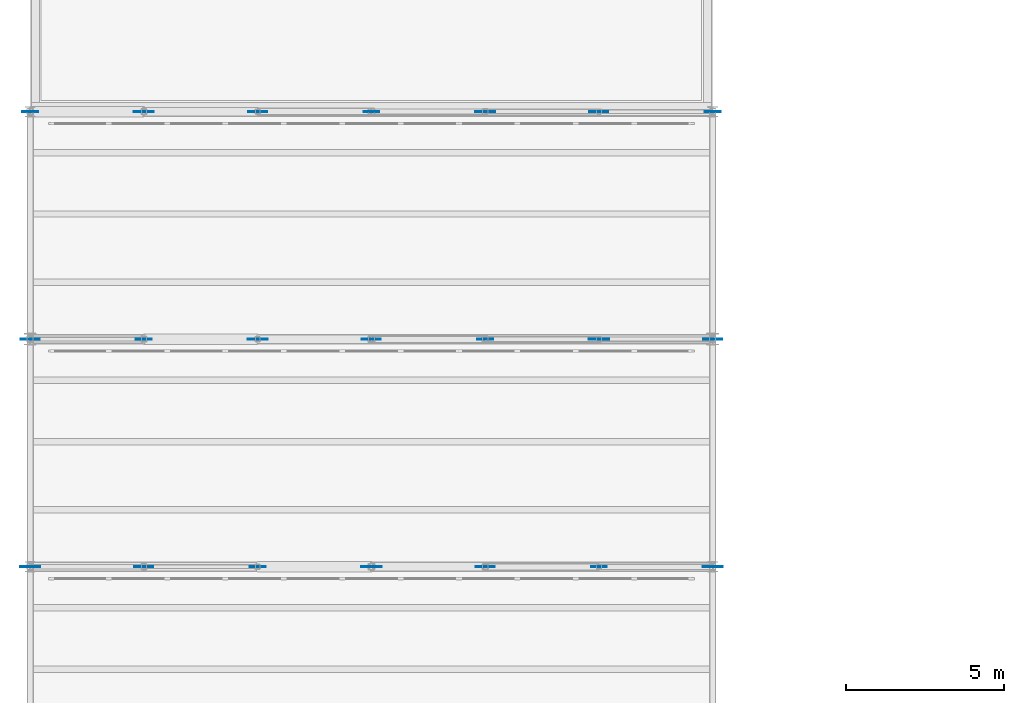
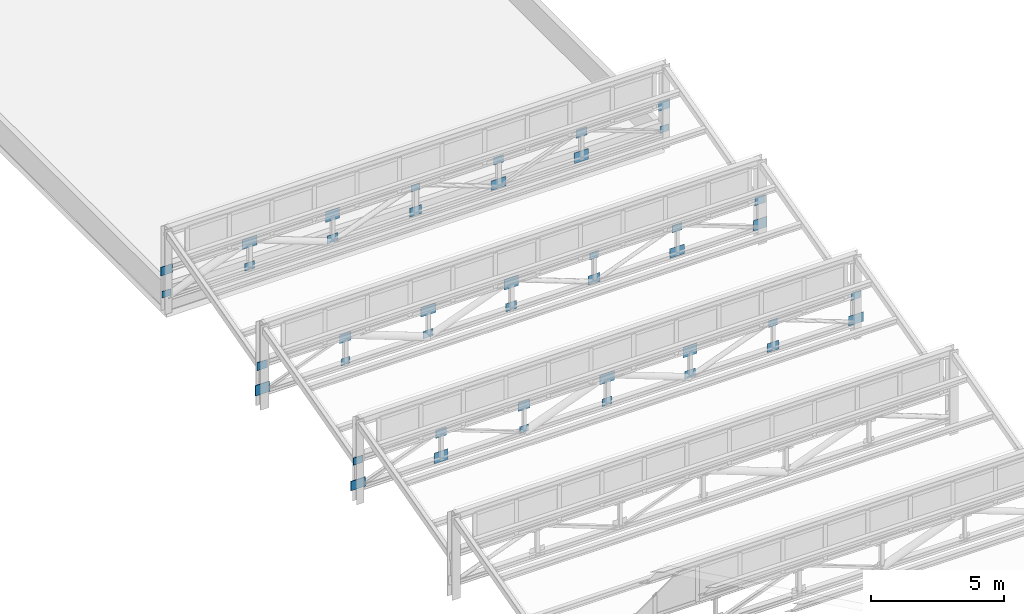
# One storey, part 44 of 55: 42 plates.
"""IFC4 building model written with IfcOpenShell, lengths in metres."""

from ifc_helpers import new_model, si_unit, direction, frame, origin, origin_2d, place, context, subcontext, project, spatial, rectangle, extrude, material, layer, layer_set, type_object, element, save


model = new_model("IFC4")

# Units and contexts
model_context = context("Model", 3, precision=1e-05, world=origin(), true_north=direction((0.0, 1.0)))
body_context = subcontext(model_context, "Body", "Model", "MODEL_VIEW")
ifc_project = project(units=[si_unit("LENGTHUNIT", "METRE"), si_unit("AREAUNIT", "SQUARE_METRE"), si_unit("VOLUMEUNIT", "CUBIC_METRE"), si_unit("PLANEANGLEUNIT", "RADIAN"), si_unit("MASSUNIT", "GRAM", prefix="KILO")], contexts=[model_context])

# Site, building, storey
site_placement = place(None, origin())
site = spatial("IfcSite", under=ifc_project, at=site_placement, CompositionType="ELEMENT")
building_placement = place(site_placement, origin())
building = spatial("IfcBuilding", under=site, at=building_placement, Name="Solenvale Faculty of Natural Sciences", CompositionType="ELEMENT")
storey_placement = place(building_placement, frame((0.0, 0.0, 22.5)))
storey = spatial("IfcBuildingStorey", under=building, at=storey_placement, Name="L05", CompositionType="ELEMENT", Elevation=22.5)

# Plates
ifc_material = material(Name="Steel S355", Category="steel")
ifc_layer_1 = layer(ifc_material, 0.01806640625)
ifc_layer_set_1 = layer_set([ifc_layer_1], Name="Steel S355")
plate_type_1 = type_object("IfcPlateType", Name="PLT-GUS-380x304x18", PredefinedType="SHEET", material=ifc_layer_set_1)
for number, where, z_axis, x_axis, name in (
    (1, (43.199951171875, 50.39990234375, 0.67822265625), (0.0, 0.0, 1.0), (1.0, 0.0, 0.0), "V3 Truss 5.1 Node Gusset NPB2"),
    (2, (54.0, 50.39990234375, 1.7578125), (0.0, 0.0, 1.0), (1.0, 0.0, 0.0), "V3 Truss 5.1 Node Gusset NPU5"),
    (3, (39.60009765625, 57.60009765625, 0.67822265625), (0.0, 0.0, 1.0), (1.0, 0.0, 0.0), "V3 Truss 6.1 Node Gusset NPB1"),
    (4, (50.39990234375, 57.60009765625, 1.7578125), (0.0, 0.0, 1.0), (1.0, 0.0, 0.0), "V3 Truss 6.1 Node Gusset NPU4"),
    (5, (36.0, 64.800048828125, 0.67822265625), (0.0, 0.0, 1.0), (1.0, 0.0, 0.0), "V3 Truss 7.1 Node Gusset NPB0"),
    (6, (46.800048828125, 64.800048828125, 1.7578125), (0.0, 0.0, 1.0), (1.0, 0.0, 0.0), "V3 Truss 7.1 Node Gusset NPU3"),
    (7, (57.60009765625, 64.800048828125, 0.67822265625), (0.0, 0.0, 1.0), (1.0, 0.0, 0.0), "V3 Truss 7.1 Node Gusset NPB6"),
):
    element("IfcPlate", number, at=place(storey_placement, frame(where, z_axis=z_axis, x_axis=x_axis)), inside=storey, type_object=plate_type_1, Name=name, PredefinedType="SHEET", context=body_context, shape_type="SweptSolid", body=[
        extrude(rectangle(XDim=0.3798828125, YDim=0.01806640625, at=origin_2d()), origin(), (0.0, 0.0, 1.0), 0.303955078125),
    ])
ifc_layer_2 = layer(ifc_material, 0.02001953125)
ifc_layer_set_2 = layer_set([ifc_layer_2], Name="Steel S355")
plate_type_2 = type_object("IfcPlateType", Name="PLT-GUS-420x336x20", PredefinedType="SHEET", material=ifc_layer_set_2)
for number, where, z_axis, x_axis, name in (
    (8, (36.0, 50.39990234375, 1.741943359375), (0.0, 0.0, 1.0), (1.0, 0.0, 0.0), "V3 Truss 5.1 Node Gusset NPU0"),
    (9, (46.800048828125, 50.39990234375, 0.662109375), (0.0, 0.0, 1.0), (1.0, 0.0, 0.0), "V3 Truss 5.1 Node Gusset NPB3"),
    (10, (57.60009765625, 50.39990234375, 1.741943359375), (0.0, 0.0, 1.0), (1.0, 0.0, 0.0), "V3 Truss 5.1 Node Gusset NPU6"),
    (11, (43.199951171875, 57.60009765625, 0.662109375), (0.0, 0.0, 1.0), (1.0, 0.0, 0.0), "V3 Truss 6.1 Node Gusset NPB2"),
    (12, (54.0, 57.60009765625, 1.741943359375), (0.0, 0.0, 1.0), (1.0, 0.0, 0.0), "V3 Truss 6.1 Node Gusset NPU5"),
    (13, (39.60009765625, 64.800048828125, 0.662109375), (0.0, 0.0, 1.0), (1.0, 0.0, 0.0), "V3 Truss 7.1 Node Gusset NPB1"),
    (14, (50.39990234375, 64.800048828125, 1.741943359375), (0.0, 0.0, 1.0), (1.0, 0.0, 0.0), "V3 Truss 7.1 Node Gusset NPU4"),
):
    element("IfcPlate", number, at=place(storey_placement, frame(where, z_axis=z_axis, x_axis=x_axis)), inside=storey, type_object=plate_type_2, Name=name, PredefinedType="SHEET", context=body_context, shape_type="SweptSolid", body=[
        extrude(rectangle(XDim=0.419921875, YDim=0.02001953125, at=origin_2d()), origin(), (0.0, 0.0, 1.0), 0.3359375),
    ])
ifc_layer_3 = layer(ifc_material, 0.02197265625)
ifc_layer_set_3 = layer_set([ifc_layer_3], Name="Steel S355")
plate_type_3 = type_object("IfcPlateType", Name="PLT-GUS-460x368x22", PredefinedType="SHEET", material=ifc_layer_set_3)
for number, where, z_axis, x_axis, name in (
    (15, (39.60009765625, 50.39990234375, 1.72607421875), (0.0, 0.0, 1.0), (1.0, 0.0, 0.0), "V3 Truss 5.1 Node Gusset NPU1"),
    (16, (50.39990234375, 50.39990234375, 0.64599609375), (0.0, 0.0, 1.0), (1.0, 0.0, 0.0), "V3 Truss 5.1 Node Gusset NPB4"),
    (17, (36.0, 57.60009765625, 1.72607421875), (0.0, 0.0, 1.0), (1.0, 0.0, 0.0), "V3 Truss 6.1 Node Gusset NPU0"),
    (18, (46.800048828125, 57.60009765625, 0.64599609375), (0.0, 0.0, 1.0), (1.0, 0.0, 0.0), "V3 Truss 6.1 Node Gusset NPB3"),
    (19, (57.60009765625, 57.60009765625, 1.72607421875), (0.0, 0.0, 1.0), (1.0, 0.0, 0.0), "V3 Truss 6.1 Node Gusset NPU6"),
    (20, (43.199951171875, 64.800048828125, 0.64599609375), (0.0, 0.0, 1.0), (1.0, 0.0, 0.0), "V3 Truss 7.1 Node Gusset NPB2"),
    (21, (54.0, 64.800048828125, 1.72607421875), (0.0, 0.0, 1.0), (1.0, 0.0, 0.0), "V3 Truss 7.1 Node Gusset NPU5"),
):
    element("IfcPlate", number, at=place(storey_placement, frame(where, z_axis=z_axis, x_axis=x_axis)), inside=storey, type_object=plate_type_3, Name=name, PredefinedType="SHEET", context=body_context, shape_type="SweptSolid", body=[
        extrude(rectangle(XDim=0.4599609375, YDim=0.02197265625, at=origin_2d()), origin(), (0.0, 0.0, 1.0), 0.367919921875),
    ])
ifc_layer_4 = layer(ifc_material, 0.02392578125)
ifc_layer_set_4 = layer_set([ifc_layer_4], Name="Steel S355")
plate_type_4 = type_object("IfcPlateType", Name="PLT-GUS-500x400x24", PredefinedType="SHEET", material=ifc_layer_set_4)
for number, where, z_axis, x_axis, name in (
    (22, (43.199951171875, 50.39990234375, 1.7099609375), (0.0, 0.0, 1.0), (1.0, 0.0, 0.0), "V3 Truss 5.1 Node Gusset NPU2"),
    (23, (54.0, 50.39990234375, 0.630126953125), (0.0, 0.0, 1.0), (1.0, 0.0, 0.0), "V3 Truss 5.1 Node Gusset NPB5"),
    (24, (39.60009765625, 57.60009765625, 1.7099609375), (0.0, 0.0, 1.0), (1.0, 0.0, 0.0), "V3 Truss 6.1 Node Gusset NPU1"),
    (25, (50.39990234375, 57.60009765625, 0.630126953125), (0.0, 0.0, 1.0), (1.0, 0.0, 0.0), "V3 Truss 6.1 Node Gusset NPB4"),
    (26, (36.0, 64.800048828125, 1.7099609375), (0.0, 0.0, 1.0), (1.0, 0.0, 0.0), "V3 Truss 7.1 Node Gusset NPU0"),
    (27, (46.800048828125, 64.800048828125, 0.630126953125), (0.0, 0.0, 1.0), (1.0, 0.0, 0.0), "V3 Truss 7.1 Node Gusset NPB3"),
    (28, (57.60009765625, 64.800048828125, 1.7099609375), (0.0, 0.0, 1.0), (1.0, 0.0, 0.0), "V3 Truss 7.1 Node Gusset NPU6"),
):
    element("IfcPlate", number, at=place(storey_placement, frame(where, z_axis=z_axis, x_axis=x_axis)), inside=storey, type_object=plate_type_4, Name=name, PredefinedType="SHEET", context=body_context, shape_type="SweptSolid", body=[
        extrude(rectangle(XDim=0.5, YDim=0.02392578125, at=origin_2d()), origin(), (0.0, 0.0, 1.0), 0.39990234375),
    ])
ifc_layer_5 = layer(ifc_material, 0.02490234375)
ifc_layer_set_5 = layer_set([ifc_layer_5], Name="Steel S355")
plate_type_5 = type_object("IfcPlateType", Name="PLT-GUS-540x432x25", PredefinedType="SHEET", material=ifc_layer_set_5)
for number, where, z_axis, x_axis, name in (
    (29, (36.0, 50.39990234375, 0.6142578125), (0.0, 0.0, 1.0), (1.0, 0.0, 0.0), "V3 Truss 5.1 Node Gusset NPB0"),
    (30, (46.800048828125, 50.39990234375, 1.69384765625), (0.0, 0.0, 1.0), (1.0, 0.0, 0.0), "V3 Truss 5.1 Node Gusset NPU3"),
    (31, (57.60009765625, 50.39990234375, 0.6142578125), (0.0, 0.0, 1.0), (1.0, 0.0, 0.0), "V3 Truss 5.1 Node Gusset NPB6"),
    (32, (43.199951171875, 57.60009765625, 1.69384765625), (0.0, 0.0, 1.0), (1.0, 0.0, 0.0), "V3 Truss 6.1 Node Gusset NPU2"),
    (33, (54.0, 57.60009765625, 0.6142578125), (0.0, 0.0, 1.0), (1.0, 0.0, 0.0), "V3 Truss 6.1 Node Gusset NPB5"),
    (34, (39.60009765625, 64.800048828125, 1.69384765625), (0.0, 0.0, 1.0), (1.0, 0.0, 0.0), "V3 Truss 7.1 Node Gusset NPU1"),
    (35, (50.39990234375, 64.800048828125, 0.6142578125), (0.0, 0.0, 1.0), (1.0, 0.0, 0.0), "V3 Truss 7.1 Node Gusset NPB4"),
):
    element("IfcPlate", number, at=place(storey_placement, frame(where, z_axis=z_axis, x_axis=x_axis)), inside=storey, type_object=plate_type_5, Name=name, PredefinedType="SHEET", context=body_context, shape_type="SweptSolid", body=[
        extrude(rectangle(XDim=0.639892578125, YDim=0.02490234375, at=origin_2d()), origin(), (0.0, 0.0, 1.0), 0.431884765625),
    ])
ifc_layer_6 = layer(ifc_material, 0.028076171875)
ifc_layer_set_6 = layer_set([ifc_layer_6], Name="Steel S355")
plate_type_6 = type_object("IfcPlateType", Name="PLT-GUS-600x480x28", PredefinedType="SHEET", material=ifc_layer_set_6)
for number, where, z_axis, x_axis, name in (
    (36, (39.60009765625, 50.39990234375, 0.590087890625), (0.0, 0.0, 1.0), (1.0, 0.0, 0.0), "V3 Truss 5.1 Node Gusset NPB1"),
    (37, (50.39990234375, 50.39990234375, 1.669921875), (0.0, 0.0, 1.0), (1.0, 0.0, 0.0), "V3 Truss 5.1 Node Gusset NPU4"),
    (38, (36.0, 57.60009765625, 0.590087890625), (0.0, 0.0, 1.0), (1.0, 0.0, 0.0), "V3 Truss 6.1 Node Gusset NPB0"),
    (39, (46.800048828125, 57.60009765625, 1.669921875), (0.0, 0.0, 1.0), (1.0, 0.0, 0.0), "V3 Truss 6.1 Node Gusset NPU3"),
    (40, (57.60009765625, 57.60009765625, 0.590087890625), (0.0, 0.0, 1.0), (1.0, 0.0, 0.0), "V3 Truss 6.1 Node Gusset NPB6"),
    (41, (43.199951171875, 64.800048828125, 1.669921875), (0.0, 0.0, 1.0), (1.0, 0.0, 0.0), "V3 Truss 7.1 Node Gusset NPU2"),
    (42, (54.0, 64.800048828125, 0.590087890625), (0.0, 0.0, 1.0), (1.0, 0.0, 0.0), "V3 Truss 7.1 Node Gusset NPB5"),
):
    element("IfcPlate", number, at=place(storey_placement, frame(where, z_axis=z_axis, x_axis=x_axis)), inside=storey, type_object=plate_type_6, Name=name, PredefinedType="SHEET", context=body_context, shape_type="SweptSolid", body=[
        extrude(rectangle(XDim=0.60009765625, YDim=0.028076171875, at=origin_2d()), origin(), (0.0, 0.0, 1.0), 0.47998046875),
    ])

save(model, "model.ifc")
